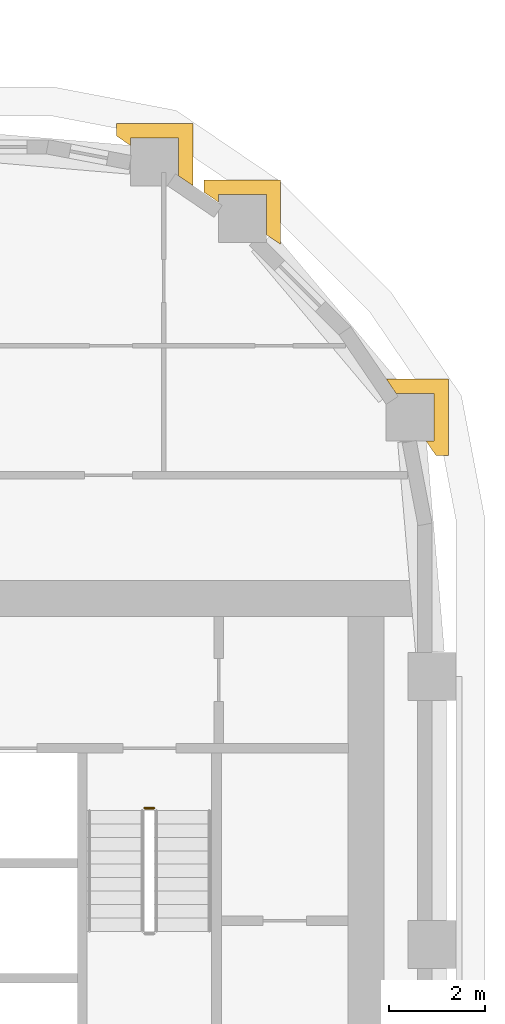
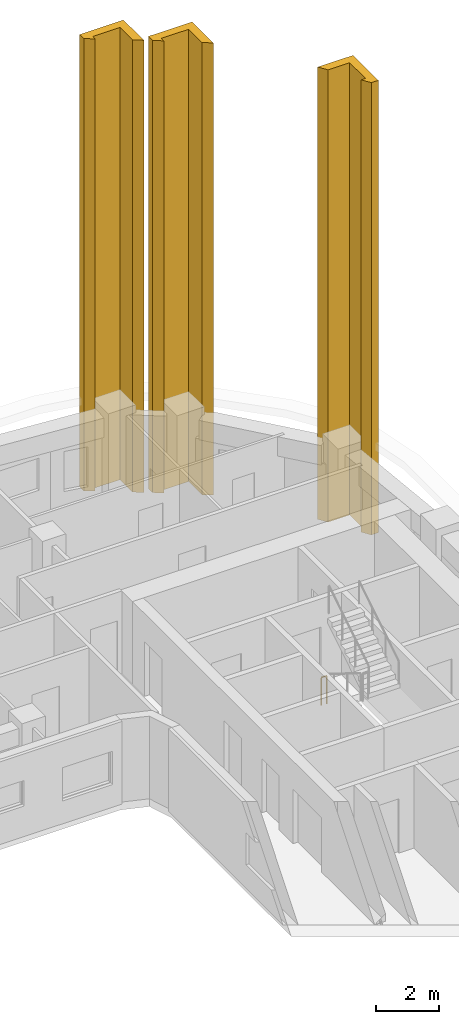
# One storey, part 22 of 22: 3 coverings, 1 railing.
"""IFC4 building model written with IfcOpenShell, lengths in metres."""

from ifc_helpers import new_model, si_unit, direction, frame, origin, origin_2d, place, context, subcontext, project, spatial, polyline, circle, outline, extrude, material, layer, layer_set, type_object, element, save


model = new_model("IFC4")

# Units and contexts
model_context = context("Model", 3, precision=1e-05, world=origin(), true_north=direction((0.0, 1.0)))
body_context = subcontext(model_context, "Body", "Model", "MODEL_VIEW")
ifc_project = project(units=[si_unit("LENGTHUNIT", "METRE"), si_unit("AREAUNIT", "SQUARE_METRE"), si_unit("VOLUMEUNIT", "CUBIC_METRE"), si_unit("PLANEANGLEUNIT", "RADIAN"), si_unit("MASSUNIT", "GRAM", prefix="KILO")], contexts=[model_context])

# Site, building, storey
site_placement = place(None, origin())
site = spatial("IfcSite", under=ifc_project, at=site_placement, CompositionType="ELEMENT")
building_placement = place(site_placement, origin())
building = spatial("IfcBuilding", under=site, at=building_placement, Name="Kiln Ring Residences", CompositionType="ELEMENT")
storey_placement = place(building_placement, frame((0.0, 0.0, 160.60009765625)))
storey = spatial("IfcBuildingStorey", under=building, at=storey_placement, Name="L41", CompositionType="ELEMENT", Elevation=160.60009765625)

# Railing
ifc_material_1 = material(Name="Stainless steel", Category="steel")
railing_type = type_object("IfcRailingType", Name="CORE-STAIR-GUARD", PredefinedType="GUARDRAIL", material=ifc_material_1)
railing_placement = place(storey_placement, frame((22.0, 8.449951171875, 0.0)))
element("IfcRailing", 1, at=railing_placement, inside=storey, type_object=railing_type, Name="L41 E-STN stair guard 4", PredefinedType="GUARDRAIL", context=body_context, shape_type="SweptSolid", body=[
    extrude(circle(Radius=0.02392578125, at=origin_2d()), frame((0.0, 0.0, 1.076171875), z_axis=(1.0, 0.0, 0.0), x_axis=(0.0, 1.0, 0.0)), (0.0, 0.0, 1.0), 0.199951171875),
    extrude(circle(Radius=0.02099609375, at=origin_2d()), origin(), (0.0, 0.0, 1.0), 1.052001953125),
    extrude(circle(Radius=0.02099609375, at=origin_2d()), frame((0.199951171875, 0.0, 0.0)), (0.0, 0.0, 1.0), 1.052001953125),
])

# Coverings
ifc_material_2 = material(Name="Brick masonry, dark clay brick", Category="masonry")
ifc_layer = layer(ifc_material_2, 0.300048828125)
ifc_layer_set = layer_set([ifc_layer], Name="PIER CLADDING 300")
covering_type = type_object("IfcCoveringType", Name="PIER CLADDING 300", PredefinedType="CLADDING", material=ifc_layer_set)
placement = place(storey_placement, origin())
element("IfcCovering", 2, at=placement, inside=storey, type_object=covering_type, Name="PIER CLADDING L41-L45", PredefinedType="CLADDING", context=body_context, shape_type="SweptSolid", body=[
    extrude(outline(polyline([(28.338134765625, 15.80859375), (28.338134765625, 17.40869140625), (27.04248046875, 17.40869140625), (27.246337890625, 17.108642578125), (28.0380859375, 17.108642578125), (28.0380859375, 16.108642578125), (27.8779296875, 16.108642578125), (28.081787109375, 15.80859375), (28.338134765625, 15.80859375)])), origin(), (0.0, 0.0, 1.0), 17.5),
])
element("IfcCovering", 3, at=placement, inside=storey, type_object=covering_type, Name="PIER CLADDING L41-L45", PredefinedType="CLADDING", context=body_context, shape_type="SweptSolid", body=[
    extrude(outline(polyline([(24.840087890625, 21.559814453125), (23.240234375, 21.559814453125), (23.240234375, 21.303466796875), (23.540283203125, 21.099609375), (23.540283203125, 21.259765625), (24.540283203125, 21.259765625), (24.540283203125, 20.419921875), (24.840087890625, 20.216064453125), (24.840087890625, 20.21630859375), (24.840087890625, 21.559814453125)])), origin(), (0.0, 0.0, 1.0), 17.5),
])
element("IfcCovering", 4, at=placement, inside=storey, type_object=covering_type, Name="PIER CLADDING L41-L45", PredefinedType="CLADDING", context=body_context, shape_type="SweptSolid", body=[
    extrude(outline(polyline([(23.0087890625, 22.738037109375), (21.40869140625, 22.738037109375), (21.40869140625, 22.481689453125), (21.708740234375, 22.27783203125), (21.708740234375, 22.43798828125), (22.708740234375, 22.43798828125), (22.708740234375, 21.646484375), (23.0087890625, 21.4423828125), (23.0087890625, 22.738037109375)])), origin(), (0.0, 0.0, 1.0), 17.5),
])

save(model, "model.ifc")
